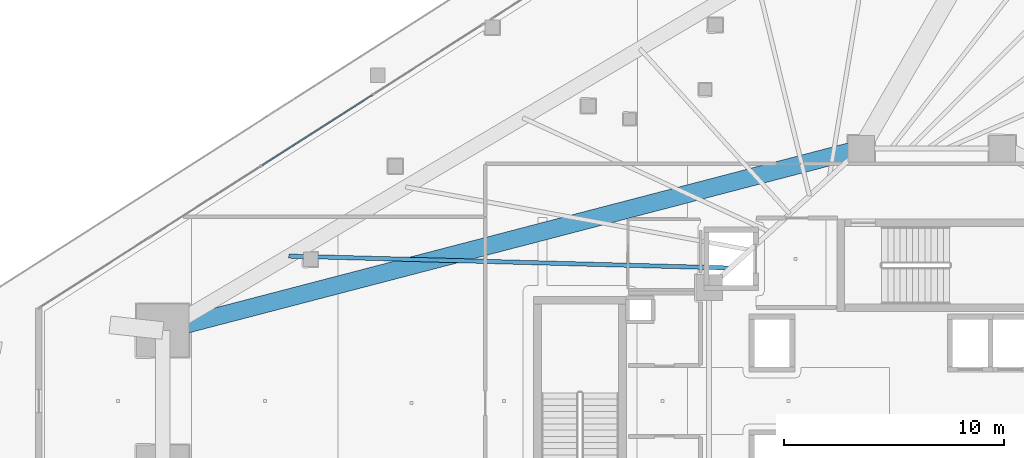
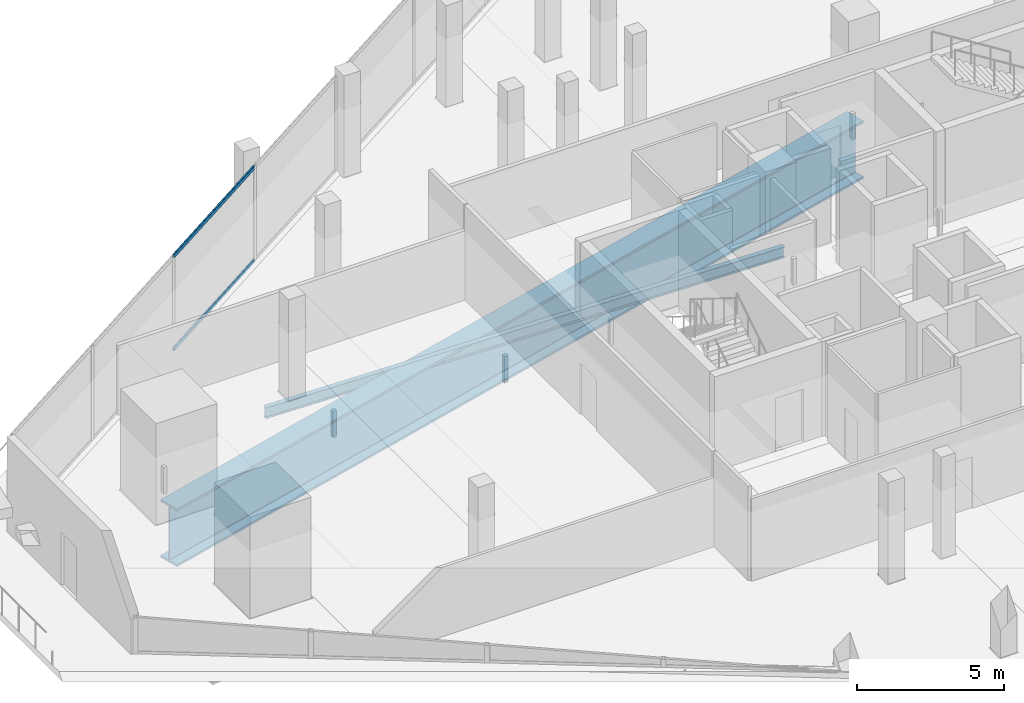
# One storey, part 13 of 42: 2 beams, 2 members, 1 element without a shape of its own.
"""IFC4 building model written with IfcOpenShell, lengths in metres."""

import ifcopenshell
import ifcopenshell.guid

model = None  # the IFC model being written
_history = None  # IfcOwnerHistory: only IFC2X3 demands one
_inside = {}  # id of a spatial element -> (the spatial element, [elements in it])
_under = {}  # id of a project, library or spatial element -> (it, [spatial elements below it])
_declared = {}  # id of a project -> (the project, [libraries it declares])
_typed = {}  # id of a type object -> (the type object, [elements of that type])
_made_of = {}  # id of a material, layer set ... -> (it, [elements and type objects made of it])


def new_model(schema):
    """Start an empty IFC model of exactly this schema.

    Asked for "IFC4X3", IfcOpenShell would pick the latest addendum, in which some entities
    have other attributes; the version numbers below select the first issue.
    IFC2X3 requires an IfcOwnerHistory on every rooted entity: one is made here for all.
    """
    global model, _history
    if schema == "IFC4X3":
        model = ifcopenshell.file(schema_version=(4, 3, 0, 0))
    else:
        model = ifcopenshell.file(schema=schema)
    _inside.clear()
    _under.clear()
    _declared.clear()
    _typed.clear()
    _made_of.clear()
    _history = None
    if model.schema == "IFC2X3":
        org = make("IfcOrganization", Name="unknown")
        user = make(
            "IfcPersonAndOrganization",
            ThePerson=make("IfcPerson", FamilyName="unknown"),
            TheOrganization=org,
        )
        app = make(
            "IfcApplication",
            ApplicationDeveloper=org,
            Version="unknown",
            ApplicationFullName="unknown",
            ApplicationIdentifier="unknown",
        )
        _history = make(
            "IfcOwnerHistory",
            OwningUser=user,
            OwningApplication=app,
            ChangeAction="ADDED",
            CreationDate=0,
        )
    return model


def make(cls, **values):
    """One entity of the class cls with the attributes given. An attribute that is None is left unset."""
    return model.create_entity(
        cls, **{name: value for name, value in values.items() if value is not None}
    )


def rooted(cls, **values):
    """An entity with a GlobalId (a new one), such as an element, a storey or a relation."""
    return make(cls, GlobalId=ifcopenshell.guid.new(), OwnerHistory=_history, **values)


def si_unit(unit_type, name, prefix=None):
    """IfcSIUnit, for example si_unit("LENGTHUNIT", "METRE", prefix="MILLI")."""
    return make("IfcSIUnit", UnitType=unit_type, Prefix=prefix, Name=name)


def assignment(units):
    """IfcUnitAssignment: the units of a project."""
    return None if units is None else make("IfcUnitAssignment", Units=units)


def point(xyz):
    """IfcCartesianPoint."""
    return None if xyz is None else make("IfcCartesianPoint", Coordinates=xyz)


def direction(xyz):
    """IfcDirection."""
    return None if xyz is None else make("IfcDirection", DirectionRatios=xyz)


def frame(location, z_axis=None, x_axis=None):
    """IfcAxis2Placement3D, a coordinate frame: its origin and axes. An axis left out is left unset."""
    return make(
        "IfcAxis2Placement3D",
        Location=point(location),
        Axis=direction(z_axis),
        RefDirection=direction(x_axis),
    )


def frame_2d(location, x_axis=None):
    """IfcAxis2Placement2D, a coordinate frame in the plane: its origin and x axis."""
    return make(
        "IfcAxis2Placement2D", Location=point(location), RefDirection=direction(x_axis)
    )


def origin():
    """The frame at (0, 0, 0) with its axes left unset."""
    return frame((0.0, 0.0, 0.0))


def origin_2d():
    """The frame at (0, 0) in the plane with its x axis left unset."""
    return frame_2d((0.0, 0.0))


def place(relative_to, where):
    """IfcLocalPlacement: puts the frame where relative to a parent placement (None: the world)."""
    return make(
        "IfcLocalPlacement", PlacementRelTo=relative_to, RelativePlacement=where
    )


def context(
    kind, dimensions, precision=None, world=None, true_north=None, identifier=None
):
    """IfcGeometricRepresentationContext, for example the 3D "Model" context."""
    return make(
        "IfcGeometricRepresentationContext",
        ContextIdentifier=identifier,
        ContextType=kind,
        CoordinateSpaceDimension=dimensions,
        Precision=precision,
        WorldCoordinateSystem=world,
        TrueNorth=true_north,
    )


def subcontext(parent, identifier, kind, view, scale=None):
    """IfcGeometricRepresentationSubContext, for example "Body" below "Model"."""
    return make(
        "IfcGeometricRepresentationSubContext",
        ContextIdentifier=identifier,
        ContextType=kind,
        ParentContext=parent,
        TargetScale=scale,
        TargetView=view,
    )


def project(units=None, contexts=None):
    """IfcProject with its units and contexts."""
    return rooted(
        "IfcProject",
        Name="project",
        RepresentationContexts=contexts,
        UnitsInContext=assignment(units),
    )


def spatial(cls, under=None, at=None, **own):
    """A site, building, storey or space (cls), placed at a placement, below another one or the project."""
    s = rooted(cls, ObjectPlacement=at, **own)
    if under is not None:
        _under.setdefault(under.id(), (under, []))[1].append(s)
    return s


def profile(cls, at=None, kind="AREA", **sizes):
    """A parametric profile (cls). Its sizes go by their IFC names, for example OverallWidth=200.0."""
    return make(cls, ProfileType=kind, Position=at, **sizes)


def hollow_rectangle(**sizes):
    """IfcRectangleHollowProfileDef."""
    return profile("IfcRectangleHollowProfileDef", **sizes)


def i_section(**sizes):
    """IfcIShapeProfileDef."""
    return profile("IfcIShapeProfileDef", **sizes)


def extrude(swept, where, along, depth):
    """IfcExtrudedAreaSolid: the profile swept, set in the frame where, extruded along a direction by depth."""
    return make(
        "IfcExtrudedAreaSolid",
        SweptArea=swept,
        Position=where,
        ExtrudedDirection=direction(along),
        Depth=depth,
    )


def shape(context_of_items, identifier, shape_type, items):
    """IfcShapeRepresentation: the items that make up one representation, for example the "Body"."""
    return make(
        "IfcShapeRepresentation",
        ContextOfItems=context_of_items,
        RepresentationIdentifier=identifier,
        RepresentationType=shape_type,
        Items=items,
    )


def material(Name=None, Category=None):
    """IfcMaterial."""
    return make("IfcMaterial", Name=Name, Category=Category)


def layer(
    of_material, thickness, ventilated=None, Name=None, Category=None, Priority=None
):
    """IfcMaterialLayer: one layer of a wall or slab, of a material (None: an air gap)."""
    return make(
        "IfcMaterialLayer",
        Material=of_material,
        LayerThickness=thickness,
        IsVentilated=ventilated,
        Name=Name,
        Category=Category,
        Priority=Priority,
    )


def layer_set(layers, Name=None):
    """IfcMaterialLayerSet."""
    return make("IfcMaterialLayerSet", MaterialLayers=layers, LayerSetName=Name)


def material_profile(
    of_material, cross_section, Name=None, Category=None, Priority=None
):
    """IfcMaterialProfile: a cross section and its material."""
    return make(
        "IfcMaterialProfile",
        Name=Name,
        Material=of_material,
        Profile=cross_section,
        Priority=Priority,
        Category=Category,
    )


def profile_set(profiles, Name=None, composite=None):
    """IfcMaterialProfileSet."""
    return make(
        "IfcMaterialProfileSet",
        Name=Name,
        MaterialProfiles=profiles,
        CompositeProfile=composite,
    )


def made_of(thing, what):
    """Note that an element or type object is made of a material, layer set ...; save() writes the relation."""
    if what is not None:
        _made_of.setdefault(what.id(), (what, []))[1].append(thing)
    return thing


def type_object(cls, material=None, **own):
    """A type object (cls), such as IfcWallType, which elements share."""
    return made_of(rooted(cls, **own), material)


def element(
    cls,
    number,
    at=None,
    inside=None,
    cuts=None,
    type_object=None,
    material=None,
    context=None,
    identifier="Body",
    shape_type=None,
    held_by="IfcProductDefinitionShape",
    body=None,
    shapes=None,
    **own,
):
    """One element of the class cls, such as IfcWall. Its Tag is "e" and its number.

    at: its placement. inside: the storey or other place that contains it. cuts: it is an
    opening in that element (IfcRelVoidsElement). A single representation is given by context,
    identifier, shape_type and body (its items); several are given by shapes. held_by: the class
    of the entity that holds the representations. save() writes the other relations.
    """
    e = rooted(cls, Tag="e%d" % number, ObjectPlacement=at, **own)
    if body is not None:
        shapes = [shape(context, identifier, shape_type, body)]
    if shapes is not None:
        e.Representation = make(held_by, Representations=shapes)
    if inside is not None:
        _inside.setdefault(inside.id(), (inside, []))[1].append(e)
    if cuts is not None:
        rooted(
            "IfcRelVoidsElement", RelatingBuildingElement=cuts, RelatedOpeningElement=e
        )
    if type_object is not None:
        _typed.setdefault(type_object.id(), (type_object, []))[1].append(e)
    return made_of(e, material)


def aggregate(whole, parts):
    """IfcRelAggregates: a whole, such as a stair, and the parts it consists of."""
    return rooted("IfcRelAggregates", RelatingObject=whole, RelatedObjects=parts)


def save(model, path):
    """Write the relations noted so far, then the file.

    IfcRelAggregates (storeys below a building ...), IfcRelContainedInSpatialStructure (elements
    in a storey), IfcRelDefinesByType, IfcRelAssociatesMaterial and IfcRelDeclares: one each for
    every whole, place, type object, material and project.
    """
    for whole, parts in _under.values():
        aggregate(whole, parts)
    for where, things in _inside.values():
        rooted(
            "IfcRelContainedInSpatialStructure",
            RelatedElements=things,
            RelatingStructure=where,
        )
    for kind, things in _typed.values():
        rooted("IfcRelDefinesByType", RelatedObjects=things, RelatingType=kind)
    for what, things in _made_of.values():
        rooted("IfcRelAssociatesMaterial", RelatedObjects=things, RelatingMaterial=what)
    for by, libraries in _declared.values():
        rooted("IfcRelDeclares", RelatingContext=by, RelatedDefinitions=libraries)
    model.write(path)


model = new_model("IFC4")

# Units and contexts
model_context = context("Model", 3, precision=1e-05, world=origin(), true_north=direction((0.0, 1.0)))
body_context = subcontext(model_context, "Body", "Model", "MODEL_VIEW")
ifc_project = project(units=[si_unit("LENGTHUNIT", "METRE"), si_unit("AREAUNIT", "SQUARE_METRE"), si_unit("VOLUMEUNIT", "CUBIC_METRE"), si_unit("PLANEANGLEUNIT", "RADIAN"), si_unit("MASSUNIT", "GRAM", prefix="KILO")], contexts=[model_context])

# Site, building, storey
site_placement = place(None, origin())
site = spatial("IfcSite", under=ifc_project, at=site_placement, CompositionType="ELEMENT")
building_placement = place(site_placement, origin())
building = spatial("IfcBuilding", under=site, at=building_placement, Name="Qorvath Tower", CompositionType="ELEMENT")
storey_placement = place(building_placement, frame((0.0, 0.0, 32.39990234375)))
storey = spatial("IfcBuildingStorey", under=building, at=storey_placement, Name="L06", CompositionType="ELEMENT", Elevation=32.39990234375)

# Beams
ifc_material_1 = material(Name="Steel ASTM A992 Grade 50", Category="steel")
ifc_material_profile_1 = material_profile(ifc_material_1, i_section(OverallWidth=0.18994140625, OverallDepth=0.45703125, WebThickness=0.009033203125, FlangeThickness=0.014404296875, FilletRadius=0.011962890625, at=origin_2d()), Name="W18x50")
ifc_profile_set_1 = profile_set([ifc_material_profile_1], Name="Steel ASTM A992 Grade 50")
beam_type_1 = type_object("IfcBeamType", Name="BM-FJ2", PredefinedType="JOIST", material=ifc_profile_set_1)
beam_1_placement = place(storey_placement, frame((-29.533935546875, 6.031982421875, -0.50830078125), z_axis=(-0.999634925413, 0.02701880631, 0.0), x_axis=(-0.02701880631, -0.999634925413, 0.0)))
element("IfcBeam", 1, at=beam_1_placement, inside=storey, type_object=beam_type_1, Name="Composite Floor Joist NW1 L06", PredefinedType="JOIST", context=body_context, shape_type="SweptSolid", body=[
    extrude(i_section(OverallWidth=0.18994140625, OverallDepth=0.45703125, WebThickness=0.009033203125, FlangeThickness=0.014404296875, FilletRadius=0.011962890625, at=origin_2d()), origin(), (0.0, 0.0, 1.0), 20.041748046875),
])
ifc_material_2 = material(Name="Steel ASTM A572 Grade 50", Category="steel")
ifc_material_profile_2 = material_profile(ifc_material_2, i_section(OverallWidth=0.800048828125, OverallDepth=2.39990234375, WebThickness=0.044921875, FlangeThickness=0.090087890625, FilletRadius=0.02490234375, at=origin_2d()), Name="WTG 2400x800")
ifc_profile_set_2 = profile_set([ifc_material_profile_2], Name="Steel ASTM A572 Grade 50")
beam_type_2 = type_object("IfcBeamType", Name="BM-TG2", PredefinedType="BEAM", material=ifc_profile_set_2)
beam_2_placement = place(storey_placement, frame((-55.282958984375, 3.194580078125, -1.479736328125), z_axis=(0.967689767858, 0.252143834313, 0.0), x_axis=(-0.252143834313, 0.967689767858, 0.0)))
element("IfcBeam", 2, at=beam_2_placement, inside=storey, type_object=beam_type_2, Name="Zone Step Transfer Girder CC5-MC1 L06", PredefinedType="BEAM", context=body_context, shape_type="SweptSolid", body=[
    extrude(i_section(OverallWidth=0.800048828125, OverallDepth=2.39990234375, WebThickness=0.044921875, FlangeThickness=0.090087890625, FilletRadius=0.02490234375, at=origin_2d()), origin(), (0.0, 0.0, 1.0), 32.74072265625),
])

# Curtain wall, members
ifc_material_3 = material(Name="Anodised aluminium and triple low-E glass", Category="aluminium")
ifc_layer = layer(ifc_material_3, 0.179931640625)
ifc_layer_set = layer_set([ifc_layer], Name="CW-SYS-2")
curtain_wall_type = type_object("IfcCurtainWallType", Name="CW-SYS-2", PredefinedType="NOTDEFINED", material=ifc_layer_set)
curtain_wall_placement = place(storey_placement, origin())
curtain_wall = element("IfcCurtainWall", 3, at=curtain_wall_placement, inside=storey, type_object=curtain_wall_type, Name="Curtain Wall CW-2 CW-T-L06-16.3", PredefinedType="NOTDEFINED")
ifc_material_4 = material(Name="Anodised aluminium 6063-T6", Category="aluminium")
ifc_material_profile_3 = material_profile(ifc_material_4, hollow_rectangle(XDim=0.06494140625, YDim=0.159912109375, WallThickness=0.00341796875, InnerFilletRadius=0.00341796875, OuterFilletRadius=0.007080078125, at=origin_2d()), Name="CWT 160x65")
ifc_profile_set_3 = profile_set([ifc_material_profile_3], Name="Anodised aluminium 6063-T6")
member_type = type_object("IfcMemberType", Name="CWT-160", PredefinedType="USERDEFINED", material=ifc_profile_set_3)
member_1_placement = place(storey_placement, frame((-45.77978515625, 13.87744140625, 0.032470703125), z_axis=(-0.842615282309, -0.538516003494, 0.0), x_axis=(0.538516003494, -0.842615282309, 0.0)))
member_1 = element("IfcMember", 4, at=member_1_placement, type_object=member_type, Name="CW-2 transom 2.1", ObjectType="TRANSOM", PredefinedType="USERDEFINED", context=body_context, shape_type="SweptSolid", body=[
    extrude(hollow_rectangle(XDim=0.06494140625, YDim=0.159912109375, WallThickness=0.00341796875, InnerFilletRadius=0.00341796875, OuterFilletRadius=0.007080078125, at=origin_2d()), origin(), (0.0, 0.0, 1.0), 5.92822265625),
])
member_2_placement = place(storey_placement, frame((-45.77978515625, 13.87744140625, 3.8876953125), z_axis=(-0.842615282309, -0.538516003494, 0.0), x_axis=(0.538516003494, -0.842615282309, 0.0)))
member_2 = element("IfcMember", 5, at=member_2_placement, type_object=member_type, Name="CW-2 transom 2.2", ObjectType="TRANSOM", PredefinedType="USERDEFINED", context=body_context, shape_type="SweptSolid", body=[
    extrude(hollow_rectangle(XDim=0.06494140625, YDim=0.159912109375, WallThickness=0.00341796875, InnerFilletRadius=0.00341796875, OuterFilletRadius=0.007080078125, at=origin_2d()), origin(), (0.0, 0.0, 1.0), 5.92822265625),
])
aggregate(curtain_wall, [member_1, member_2])

save(model, "model.ifc")
